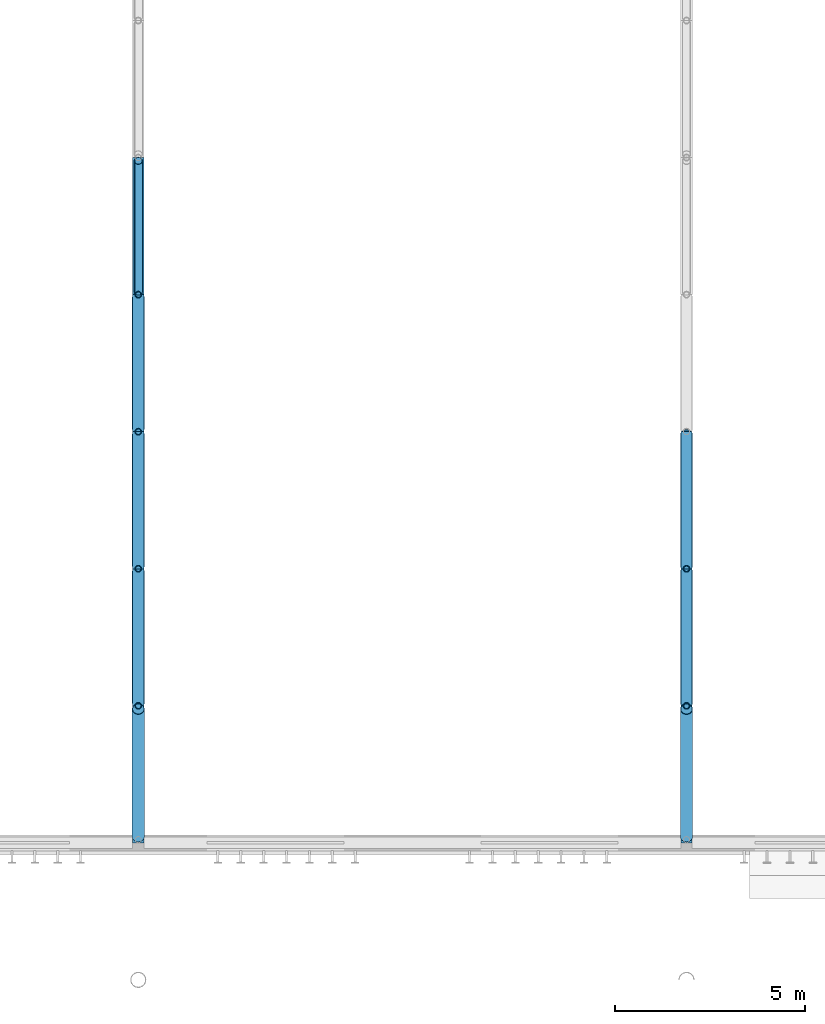
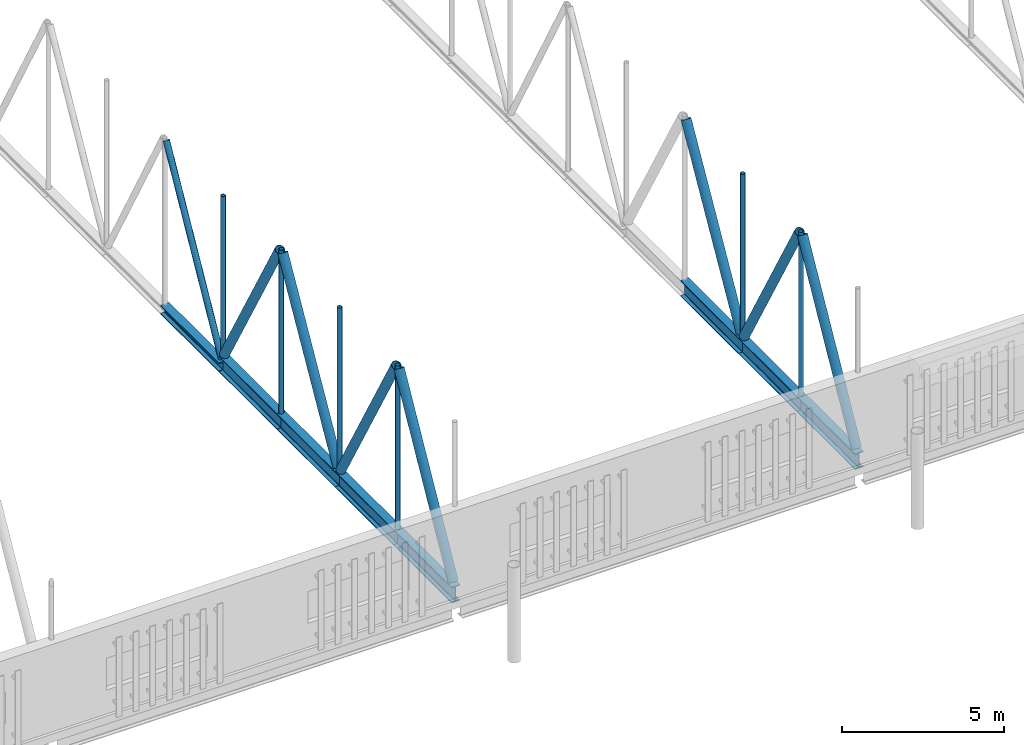
# One storey, part 54 of 142: 22 members.
"""IFC4 building model written with IfcOpenShell, lengths in metres."""

import ifcopenshell
import ifcopenshell.guid

model = None  # the IFC model being written
_history = None  # IfcOwnerHistory: only IFC2X3 demands one
_inside = {}  # id of a spatial element -> (the spatial element, [elements in it])
_under = {}  # id of a project, library or spatial element -> (it, [spatial elements below it])
_declared = {}  # id of a project -> (the project, [libraries it declares])
_typed = {}  # id of a type object -> (the type object, [elements of that type])
_made_of = {}  # id of a material, layer set ... -> (it, [elements and type objects made of it])


def new_model(schema):
    """Start an empty IFC model of exactly this schema.

    Asked for "IFC4X3", IfcOpenShell would pick the latest addendum, in which some entities
    have other attributes; the version numbers below select the first issue.
    IFC2X3 requires an IfcOwnerHistory on every rooted entity: one is made here for all.
    """
    global model, _history
    if schema == "IFC4X3":
        model = ifcopenshell.file(schema_version=(4, 3, 0, 0))
    else:
        model = ifcopenshell.file(schema=schema)
    _inside.clear()
    _under.clear()
    _declared.clear()
    _typed.clear()
    _made_of.clear()
    _history = None
    if model.schema == "IFC2X3":
        org = make("IfcOrganization", Name="unknown")
        user = make(
            "IfcPersonAndOrganization",
            ThePerson=make("IfcPerson", FamilyName="unknown"),
            TheOrganization=org,
        )
        app = make(
            "IfcApplication",
            ApplicationDeveloper=org,
            Version="unknown",
            ApplicationFullName="unknown",
            ApplicationIdentifier="unknown",
        )
        _history = make(
            "IfcOwnerHistory",
            OwningUser=user,
            OwningApplication=app,
            ChangeAction="ADDED",
            CreationDate=0,
        )
    return model


def make(cls, **values):
    """One entity of the class cls with the attributes given. An attribute that is None is left unset."""
    return model.create_entity(
        cls, **{name: value for name, value in values.items() if value is not None}
    )


def rooted(cls, **values):
    """An entity with a GlobalId (a new one), such as an element, a storey or a relation."""
    return make(cls, GlobalId=ifcopenshell.guid.new(), OwnerHistory=_history, **values)


def si_unit(unit_type, name, prefix=None):
    """IfcSIUnit, for example si_unit("LENGTHUNIT", "METRE", prefix="MILLI")."""
    return make("IfcSIUnit", UnitType=unit_type, Prefix=prefix, Name=name)


def assignment(units):
    """IfcUnitAssignment: the units of a project."""
    return None if units is None else make("IfcUnitAssignment", Units=units)


def point(xyz):
    """IfcCartesianPoint."""
    return None if xyz is None else make("IfcCartesianPoint", Coordinates=xyz)


def direction(xyz):
    """IfcDirection."""
    return None if xyz is None else make("IfcDirection", DirectionRatios=xyz)


def frame(location, z_axis=None, x_axis=None):
    """IfcAxis2Placement3D, a coordinate frame: its origin and axes. An axis left out is left unset."""
    return make(
        "IfcAxis2Placement3D",
        Location=point(location),
        Axis=direction(z_axis),
        RefDirection=direction(x_axis),
    )


def frame_2d(location, x_axis=None):
    """IfcAxis2Placement2D, a coordinate frame in the plane: its origin and x axis."""
    return make(
        "IfcAxis2Placement2D", Location=point(location), RefDirection=direction(x_axis)
    )


def origin():
    """The frame at (0, 0, 0) with its axes left unset."""
    return frame((0.0, 0.0, 0.0))


def origin_2d():
    """The frame at (0, 0) in the plane with its x axis left unset."""
    return frame_2d((0.0, 0.0))


def place(relative_to, where):
    """IfcLocalPlacement: puts the frame where relative to a parent placement (None: the world)."""
    return make(
        "IfcLocalPlacement", PlacementRelTo=relative_to, RelativePlacement=where
    )


def context(
    kind, dimensions, precision=None, world=None, true_north=None, identifier=None
):
    """IfcGeometricRepresentationContext, for example the 3D "Model" context."""
    return make(
        "IfcGeometricRepresentationContext",
        ContextIdentifier=identifier,
        ContextType=kind,
        CoordinateSpaceDimension=dimensions,
        Precision=precision,
        WorldCoordinateSystem=world,
        TrueNorth=true_north,
    )


def subcontext(parent, identifier, kind, view, scale=None):
    """IfcGeometricRepresentationSubContext, for example "Body" below "Model"."""
    return make(
        "IfcGeometricRepresentationSubContext",
        ContextIdentifier=identifier,
        ContextType=kind,
        ParentContext=parent,
        TargetScale=scale,
        TargetView=view,
    )


def project(units=None, contexts=None):
    """IfcProject with its units and contexts."""
    return rooted(
        "IfcProject",
        Name="project",
        RepresentationContexts=contexts,
        UnitsInContext=assignment(units),
    )


def spatial(cls, under=None, at=None, **own):
    """A site, building, storey or space (cls), placed at a placement, below another one or the project."""
    s = rooted(cls, ObjectPlacement=at, **own)
    if under is not None:
        _under.setdefault(under.id(), (under, []))[1].append(s)
    return s


def profile(cls, at=None, kind="AREA", **sizes):
    """A parametric profile (cls). Its sizes go by their IFC names, for example OverallWidth=200.0."""
    return make(cls, ProfileType=kind, Position=at, **sizes)


def hollow_circle(**sizes):
    """IfcCircleHollowProfileDef."""
    return profile("IfcCircleHollowProfileDef", **sizes)


def i_section(**sizes):
    """IfcIShapeProfileDef."""
    return profile("IfcIShapeProfileDef", **sizes)


def extrude(swept, where, along, depth):
    """IfcExtrudedAreaSolid: the profile swept, set in the frame where, extruded along a direction by depth."""
    return make(
        "IfcExtrudedAreaSolid",
        SweptArea=swept,
        Position=where,
        ExtrudedDirection=direction(along),
        Depth=depth,
    )


def shape(context_of_items, identifier, shape_type, items):
    """IfcShapeRepresentation: the items that make up one representation, for example the "Body"."""
    return make(
        "IfcShapeRepresentation",
        ContextOfItems=context_of_items,
        RepresentationIdentifier=identifier,
        RepresentationType=shape_type,
        Items=items,
    )


def material(Name=None, Category=None):
    """IfcMaterial."""
    return make("IfcMaterial", Name=Name, Category=Category)


def material_profile(
    of_material, cross_section, Name=None, Category=None, Priority=None
):
    """IfcMaterialProfile: a cross section and its material."""
    return make(
        "IfcMaterialProfile",
        Name=Name,
        Material=of_material,
        Profile=cross_section,
        Priority=Priority,
        Category=Category,
    )


def profile_set(profiles, Name=None, composite=None):
    """IfcMaterialProfileSet."""
    return make(
        "IfcMaterialProfileSet",
        Name=Name,
        MaterialProfiles=profiles,
        CompositeProfile=composite,
    )


def made_of(thing, what):
    """Note that an element or type object is made of a material, layer set ...; save() writes the relation."""
    if what is not None:
        _made_of.setdefault(what.id(), (what, []))[1].append(thing)
    return thing


def type_object(cls, material=None, **own):
    """A type object (cls), such as IfcWallType, which elements share."""
    return made_of(rooted(cls, **own), material)


def element(
    cls,
    number,
    at=None,
    inside=None,
    cuts=None,
    type_object=None,
    material=None,
    context=None,
    identifier="Body",
    shape_type=None,
    held_by="IfcProductDefinitionShape",
    body=None,
    shapes=None,
    **own,
):
    """One element of the class cls, such as IfcWall. Its Tag is "e" and its number.

    at: its placement. inside: the storey or other place that contains it. cuts: it is an
    opening in that element (IfcRelVoidsElement). A single representation is given by context,
    identifier, shape_type and body (its items); several are given by shapes. held_by: the class
    of the entity that holds the representations. save() writes the other relations.
    """
    e = rooted(cls, Tag="e%d" % number, ObjectPlacement=at, **own)
    if body is not None:
        shapes = [shape(context, identifier, shape_type, body)]
    if shapes is not None:
        e.Representation = make(held_by, Representations=shapes)
    if inside is not None:
        _inside.setdefault(inside.id(), (inside, []))[1].append(e)
    if cuts is not None:
        rooted(
            "IfcRelVoidsElement", RelatingBuildingElement=cuts, RelatedOpeningElement=e
        )
    if type_object is not None:
        _typed.setdefault(type_object.id(), (type_object, []))[1].append(e)
    return made_of(e, material)


def aggregate(whole, parts):
    """IfcRelAggregates: a whole, such as a stair, and the parts it consists of."""
    return rooted("IfcRelAggregates", RelatingObject=whole, RelatedObjects=parts)


def save(model, path):
    """Write the relations noted so far, then the file.

    IfcRelAggregates (storeys below a building ...), IfcRelContainedInSpatialStructure (elements
    in a storey), IfcRelDefinesByType, IfcRelAssociatesMaterial and IfcRelDeclares: one each for
    every whole, place, type object, material and project.
    """
    for whole, parts in _under.values():
        aggregate(whole, parts)
    for where, things in _inside.values():
        rooted(
            "IfcRelContainedInSpatialStructure",
            RelatedElements=things,
            RelatingStructure=where,
        )
    for kind, things in _typed.values():
        rooted("IfcRelDefinesByType", RelatedObjects=things, RelatingType=kind)
    for what, things in _made_of.values():
        rooted("IfcRelAssociatesMaterial", RelatedObjects=things, RelatingMaterial=what)
    for by, libraries in _declared.values():
        rooted("IfcRelDeclares", RelatingContext=by, RelatedDefinitions=libraries)
    model.write(path)


model = new_model("IFC4")

# Units and contexts
model_context = context("Model", 3, precision=1e-05, world=origin(), true_north=direction((0.0, 1.0)))
body_context = subcontext(model_context, "Body", "Model", "MODEL_VIEW")
ifc_project = project(units=[si_unit("LENGTHUNIT", "METRE"), si_unit("AREAUNIT", "SQUARE_METRE"), si_unit("VOLUMEUNIT", "CUBIC_METRE"), si_unit("PLANEANGLEUNIT", "RADIAN"), si_unit("MASSUNIT", "GRAM", prefix="KILO")], contexts=[model_context])

# Site, building, storey
site_placement = place(None, origin())
site = spatial("IfcSite", under=ifc_project, at=site_placement, CompositionType="ELEMENT")
building_placement = place(site_placement, origin())
building = spatial("IfcBuilding", under=site, at=building_placement, Name="Kupolbacken Congress Centre", CompositionType="ELEMENT")
storey_placement = place(building_placement, frame((0.0, 0.0, 14.39990234375)))
storey = spatial("IfcBuildingStorey", under=building, at=storey_placement, Name="L04", CompositionType="ELEMENT", Elevation=14.39990234375)

# Members
ifc_material_1 = material(Name="Steel S355", Category="steel")
ifc_material_profile_1 = material_profile(ifc_material_1, i_section(OverallWidth=0.31005859375, OverallDepth=0.340087890625, WebThickness=0.02099609375, FlangeThickness=0.0390625, FilletRadius=0.027099609375, at=origin_2d()), Name="HEM 300")
ifc_profile_set_1 = profile_set([ifc_material_profile_1], Name="Steel S355")
member_type_1 = type_object("IfcMemberType", Name="M01 transfer truss chord HEM 300", PredefinedType="CHORD", material=ifc_profile_set_1)
member_1_placement = place(storey_placement, frame((136.800048828125, 57.60009765625, 0.16015625), z_axis=(0.0, 1.0, 0.0), x_axis=(-1.0, 0.0, 0.0)))
element("IfcMember", 1, at=member_1_placement, inside=storey, type_object=member_type_1, Name="HT/T4/BC05", PredefinedType="CHORD", context=body_context, shape_type="SweptSolid", body=[
    extrude(i_section(OverallWidth=0.31005859375, OverallDepth=0.340087890625, WebThickness=0.02099609375, FlangeThickness=0.0390625, FilletRadius=0.027099609375, at=origin_2d()), origin(), (0.0, 0.0, 1.0), 3.599853515625),
])
ifc_material_2 = material(Name="Steel S355", Category="steel")
ifc_material_profile_2 = material_profile(ifc_material_2, i_section(OverallWidth=0.300048828125, OverallDepth=0.60009765625, WebThickness=0.015380859375, FlangeThickness=0.030029296875, FilletRadius=0.027099609375, at=origin_2d()), Name="HEB 600")
ifc_profile_set_2 = profile_set([ifc_material_profile_2], Name="Steel S355")
member_type_2 = type_object("IfcMemberType", Name="M02 transfer truss chord HEB 600", PredefinedType="CHORD", material=ifc_profile_set_2)
member_2_placement = place(storey_placement, frame((136.800048828125, 43.199951171875, 0.2900390625), z_axis=(0.0, 1.0, 0.0), x_axis=(-1.0, 0.0, 0.0)))
element("IfcMember", 2, at=member_2_placement, inside=storey, type_object=member_type_2, Name="HT/T4/BC01", PredefinedType="CHORD", context=body_context, shape_type="SweptSolid", body=[
    extrude(i_section(OverallWidth=0.300048828125, OverallDepth=0.60009765625, WebThickness=0.015380859375, FlangeThickness=0.030029296875, FilletRadius=0.027099609375, at=origin_2d()), origin(), (0.0, 0.0, 1.0), 3.60009765625),
])
member_3_placement = place(storey_placement, frame((136.800048828125, 46.800048828125, 0.2900390625), z_axis=(0.0, 1.0, 0.0), x_axis=(-1.0, 0.0, 0.0)))
element("IfcMember", 3, at=member_3_placement, inside=storey, type_object=member_type_2, Name="HT/T4/BC02", PredefinedType="CHORD", context=body_context, shape_type="SweptSolid", body=[
    extrude(i_section(OverallWidth=0.300048828125, OverallDepth=0.60009765625, WebThickness=0.015380859375, FlangeThickness=0.030029296875, FilletRadius=0.027099609375, at=origin_2d()), origin(), (0.0, 0.0, 1.0), 3.599853515625),
])
for number, where, z_axis, x_axis, name in (
    (4, (136.800048828125, 50.39990234375, 0.2900390625), (0.0, 1.0, 0.0), (-1.0, 0.0, 0.0), "HT/T4/BC03"),
    (5, (136.800048828125, 54.0, 0.2900390625), (0.0, 1.0, 0.0), (-1.0, 0.0, 0.0), "HT/T4/BC04"),
    (6, (151.199951171875, 43.199951171875, 0.2900390625), (0.0, 1.0, 0.0), (-1.0, 0.0, 0.0), "HT/T5/BC01"),
):
    element("IfcMember", number, at=place(storey_placement, frame(where, z_axis=z_axis, x_axis=x_axis)), inside=storey, type_object=member_type_2, Name=name, PredefinedType="CHORD", context=body_context, shape_type="SweptSolid", body=[
        extrude(i_section(OverallWidth=0.300048828125, OverallDepth=0.60009765625, WebThickness=0.015380859375, FlangeThickness=0.030029296875, FilletRadius=0.027099609375, at=origin_2d()), origin(), (0.0, 0.0, 1.0), 3.60009765625),
    ])
member_4_placement = place(storey_placement, frame((151.199951171875, 46.800048828125, 0.2900390625), z_axis=(0.0, 1.0, 0.0), x_axis=(-1.0, 0.0, 0.0)))
element("IfcMember", 7, at=member_4_placement, inside=storey, type_object=member_type_2, Name="HT/T5/BC02", PredefinedType="CHORD", context=body_context, shape_type="SweptSolid", body=[
    extrude(i_section(OverallWidth=0.300048828125, OverallDepth=0.60009765625, WebThickness=0.015380859375, FlangeThickness=0.030029296875, FilletRadius=0.027099609375, at=origin_2d()), origin(), (0.0, 0.0, 1.0), 3.599853515625),
])
member_5_placement = place(storey_placement, frame((151.199951171875, 50.39990234375, 0.2900390625), z_axis=(0.0, 1.0, 0.0), x_axis=(-1.0, 0.0, 0.0)))
element("IfcMember", 8, at=member_5_placement, inside=storey, type_object=member_type_2, Name="HT/T5/BC03", PredefinedType="CHORD", context=body_context, shape_type="SweptSolid", body=[
    extrude(i_section(OverallWidth=0.300048828125, OverallDepth=0.60009765625, WebThickness=0.015380859375, FlangeThickness=0.030029296875, FilletRadius=0.027099609375, at=origin_2d()), origin(), (0.0, 0.0, 1.0), 3.60009765625),
])
ifc_material_3 = material(Name="Steel S355", Category="steel")
ifc_material_profile_3 = material_profile(ifc_material_3, hollow_circle(Radius=0.161865234375, WallThickness=0.012451171875, at=origin_2d()), Name="CHS 323.9 x 12.5")
ifc_profile_set_3 = profile_set([ifc_material_profile_3], Name="Steel S355")
member_type_3 = type_object("IfcMemberType", Name="M04 transfer truss web CHS 323.9 x 12.5", PredefinedType="BRACE", material=ifc_profile_set_3)
member_6_placement = place(storey_placement, frame((136.800048828125, 43.368408203125, 0.6572265625), z_axis=(0.0, 0.485009080024, 0.874509115043), x_axis=(-1.0, 0.0, 0.0)))
element("IfcMember", 9, at=member_6_placement, inside=storey, type_object=member_type_3, Name="HT/T4/D01", PredefinedType="BRACE", context=body_context, shape_type="SweptSolid", body=[
    extrude(hollow_circle(Radius=0.161865234375, WallThickness=0.012451171875, at=origin_2d()), origin(), (0.0, 0.0, 1.0), 6.90185546875),
])
member_7_placement = place(storey_placement, frame((136.800048828125, 46.884033203125, 6.69140625), z_axis=(0.0, 0.494482554546, -0.869187553552), x_axis=(-1.0, 0.0, 0.0)))
element("IfcMember", 10, at=member_7_placement, inside=storey, type_object=member_type_3, Name="HT/T4/D02", PredefinedType="BRACE", context=body_context, shape_type="SweptSolid", body=[
    extrude(hollow_circle(Radius=0.161865234375, WallThickness=0.012451171875, at=origin_2d()), origin(), (0.0, 0.0, 1.0), 6.9404296875),
])
for number, where, z_axis, x_axis, name in (
    (11, (136.800048828125, 50.484130859375, 0.658935546875), (0.0, 0.494455978115, 0.869202672399), (-1.0, 0.0, 0.0), "HT/T4/D03"),
    (12, (136.800048828125, 54.084228515625, 6.69140625), (0.0, 0.494455978115, -0.869202672399), (-1.0, 0.0, 0.0), "HT/T4/D04"),
):
    element("IfcMember", number, at=place(storey_placement, frame(where, z_axis=z_axis, x_axis=x_axis)), inside=storey, type_object=member_type_3, Name=name, PredefinedType="BRACE", context=body_context, shape_type="SweptSolid", body=[
        extrude(hollow_circle(Radius=0.161865234375, WallThickness=0.012451171875, at=origin_2d()), origin(), (0.0, 0.0, 1.0), 6.940185546875),
    ])
member_8_placement = place(storey_placement, frame((151.199951171875, 43.368408203125, 0.6572265625), z_axis=(0.0, 0.485009080024, 0.874509115043), x_axis=(-1.0, 0.0, 0.0)))
element("IfcMember", 13, at=member_8_placement, inside=storey, type_object=member_type_3, Name="HT/T5/D01", PredefinedType="BRACE", context=body_context, shape_type="SweptSolid", body=[
    extrude(hollow_circle(Radius=0.161865234375, WallThickness=0.012451171875, at=origin_2d()), origin(), (0.0, 0.0, 1.0), 6.90185546875),
])
member_9_placement = place(storey_placement, frame((151.199951171875, 46.884033203125, 6.69140625), z_axis=(0.0, 0.494482554546, -0.869187553552), x_axis=(-1.0, 0.0, 0.0)))
element("IfcMember", 14, at=member_9_placement, inside=storey, type_object=member_type_3, Name="HT/T5/D02", PredefinedType="BRACE", context=body_context, shape_type="SweptSolid", body=[
    extrude(hollow_circle(Radius=0.161865234375, WallThickness=0.012451171875, at=origin_2d()), origin(), (0.0, 0.0, 1.0), 6.9404296875),
])
member_10_placement = place(storey_placement, frame((151.199951171875, 50.484130859375, 0.658935546875), z_axis=(0.0, 0.494455978115, 0.869202672399), x_axis=(-1.0, 0.0, 0.0)))
element("IfcMember", 15, at=member_10_placement, inside=storey, type_object=member_type_3, Name="HT/T5/D03", PredefinedType="BRACE", context=body_context, shape_type="SweptSolid", body=[
    extrude(hollow_circle(Radius=0.161865234375, WallThickness=0.012451171875, at=origin_2d()), origin(), (0.0, 0.0, 1.0), 6.940185546875),
])
ifc_material_4 = material(Name="Steel S355", Category="steel")
ifc_material_profile_4 = material_profile(ifc_material_4, hollow_circle(Radius=0.109619140625, WallThickness=0.010009765625, at=origin_2d()), Name="CHS 219.1 x 10")
ifc_profile_set_4 = profile_set([ifc_material_profile_4], Name="Steel S355")
member_type_4 = type_object("IfcMemberType", Name="M05 transfer truss web CHS 219.1 x 10", PredefinedType="BRACE", material=ifc_profile_set_4)
member_11_placement = place(storey_placement, frame((136.800048828125, 57.68408203125, 0.372802734375), z_axis=(0.0, 0.485197410842, 0.87440463889), x_axis=(-1.0, 0.0, 0.0)))
element("IfcMember", 16, at=member_11_placement, inside=storey, type_object=member_type_4, Name="HT/T4/D05", PredefinedType="BRACE", context=body_context, shape_type="SweptSolid", body=[
    extrude(hollow_circle(Radius=0.109619140625, WallThickness=0.010009765625, at=origin_2d()), origin(), (0.0, 0.0, 1.0), 7.0732421875),
])
ifc_material_5 = material(Name="Steel S355", Category="steel")
ifc_material_profile_5 = material_profile(ifc_material_5, hollow_circle(Radius=0.084228515625, WallThickness=0.008056640625, at=origin_2d()), Name="CHS 168.3 x 8")
ifc_profile_set_5 = profile_set([ifc_material_profile_5], Name="Steel S355")
member_type_5 = type_object("IfcMemberType", Name="M20 transfer truss post CHS 168.3 x 8", PredefinedType="STRUT", material=ifc_profile_set_5)
for number, where, z_axis, x_axis, name in (
    (17, (136.800048828125, 46.800048828125, 0.580078125), (0.0, 0.0, 1.0), (0.0, 1.0, 0.0), "HT/T4/P01"),
    (18, (136.800048828125, 50.39990234375, 0.580078125), (0.0, 0.0, 1.0), (0.0, 1.0, 0.0), "HT/T4/P02"),
    (19, (136.800048828125, 54.0, 0.580078125), (0.0, 0.0, 1.0), (0.0, 1.0, 0.0), "HT/T4/P03"),
):
    element("IfcMember", number, at=place(storey_placement, frame(where, z_axis=z_axis, x_axis=x_axis)), inside=storey, type_object=member_type_5, Name=name, PredefinedType="STRUT", context=body_context, shape_type="SweptSolid", body=[
        extrude(hollow_circle(Radius=0.084228515625, WallThickness=0.008056640625, at=origin_2d()), origin(), (0.0, 0.0, 1.0), 6.18994140625),
    ])
member_12_placement = place(storey_placement, frame((136.800048828125, 57.60009765625, 0.580078125), z_axis=(0.0, 0.0, 1.0), x_axis=(0.0, 1.0, 0.0)))
element("IfcMember", 20, at=member_12_placement, inside=storey, type_object=member_type_5, Name="HT/T4/P04", PredefinedType="STRUT", context=body_context, shape_type="SweptSolid", body=[
    extrude(hollow_circle(Radius=0.084228515625, WallThickness=0.008056640625, at=origin_2d()), origin(), (0.0, 0.0, 1.0), 6.030029296875),
])
for number, where, z_axis, x_axis, name in (
    (21, (151.199951171875, 46.800048828125, 0.580078125), (0.0, 0.0, 1.0), (0.0, 1.0, 0.0), "HT/T5/P01"),
    (22, (151.199951171875, 50.39990234375, 0.580078125), (0.0, 0.0, 1.0), (0.0, 1.0, 0.0), "HT/T5/P02"),
):
    element("IfcMember", number, at=place(storey_placement, frame(where, z_axis=z_axis, x_axis=x_axis)), inside=storey, type_object=member_type_5, Name=name, PredefinedType="STRUT", context=body_context, shape_type="SweptSolid", body=[
        extrude(hollow_circle(Radius=0.084228515625, WallThickness=0.008056640625, at=origin_2d()), origin(), (0.0, 0.0, 1.0), 6.18994140625),
    ])

save(model, "model.ifc")
